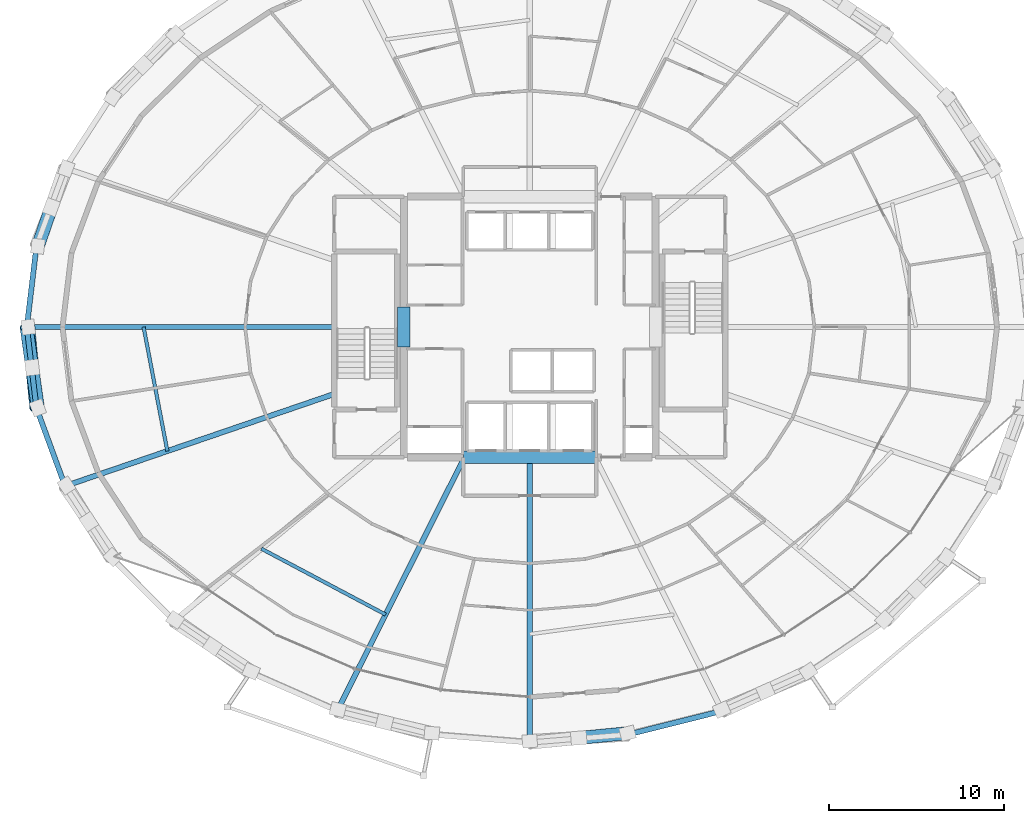
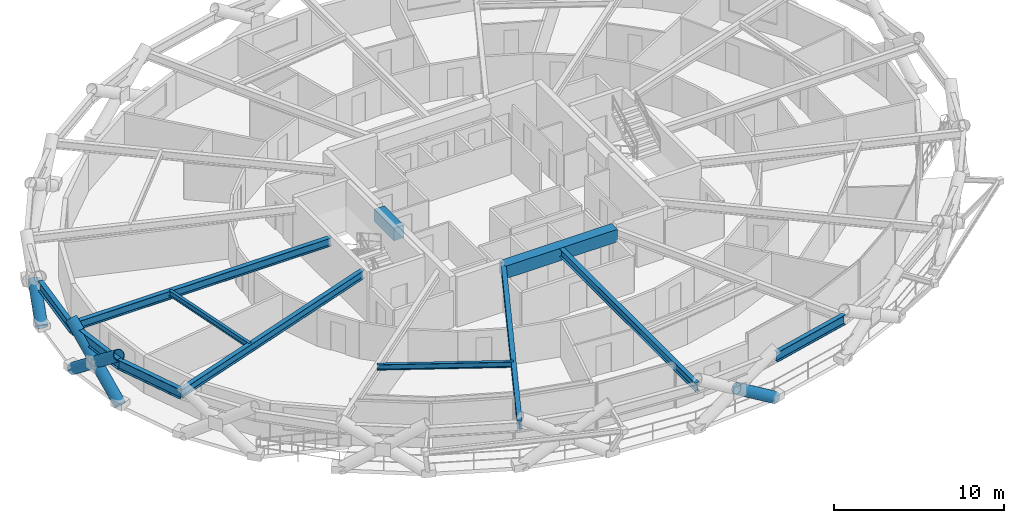
# One storey, part 5 of 21: 12 beams, 5 members.
"""IFC4 building model written with IfcOpenShell, lengths in metres."""

from ifc_helpers import new_model, si_unit, direction, frame, origin, origin_2d, place, context, subcontext, project, spatial, rectangle, hollow_circle, i_section, extrude, material, material_profile, profile_set, type_object, element, save


model = new_model("IFC4")

# Units and contexts
model_context = context("Model", 3, precision=1e-05, world=origin(), true_north=direction((0.0, 1.0)))
body_context = subcontext(model_context, "Body", "Model", "MODEL_VIEW")
ifc_project = project(units=[si_unit("LENGTHUNIT", "METRE"), si_unit("AREAUNIT", "SQUARE_METRE"), si_unit("VOLUMEUNIT", "CUBIC_METRE"), si_unit("PLANEANGLEUNIT", "RADIAN"), si_unit("MASSUNIT", "GRAM", prefix="KILO")], contexts=[model_context])

# Site, building, storey
site_placement = place(None, origin())
site = spatial("IfcSite", under=ifc_project, at=site_placement, CompositionType="ELEMENT")
building_placement = place(site_placement, origin())
building = spatial("IfcBuilding", under=site, at=building_placement, Name="Veldorina Hangang Commons", CompositionType="ELEMENT")
storey_placement = place(building_placement, frame((0.0, 0.0, 59.199951171875)))
storey = spatial("IfcBuildingStorey", under=building, at=storey_placement, Name="L14", CompositionType="ELEMENT", Elevation=59.199951171875)

# Beams
ifc_material_1 = material(Name="Concrete C70/85", Category="concrete")
ifc_material_profile_1 = material_profile(ifc_material_1, rectangle(XDim=0.699951171875, YDim=0.89990234375, at=origin_2d()), Name="RC-CB-700x900")
ifc_profile_set_1 = profile_set([ifc_material_profile_1], Name="Concrete C70/85")
beam_type_1 = type_object("IfcBeamType", Name="BM-CB900", PredefinedType="LINTEL", material=ifc_profile_set_1)
beam_1_placement = place(storey_placement, frame((24.800048828125, 22.85009765625, 2.89013671875), z_axis=(0.0, 1.0, 0.0), x_axis=(-1.0, 0.0, 0.0)))
element("IfcBeam", 1, at=beam_1_placement, inside=storey, type_object=beam_type_1, Name="L14 W core coupling lintel beam", PredefinedType="LINTEL", context=body_context, shape_type="SweptSolid", body=[
    extrude(rectangle(XDim=0.699951171875, YDim=0.89990234375, at=origin_2d()), origin(), (0.0, 0.0, 1.0), 2.2998046875),
])
beam_2_placement = place(storey_placement, frame((28.199951171875, 16.550048828125, 2.89013671875), z_axis=(1.0, 0.0, 0.0), x_axis=(0.0, 1.0, 0.0)))
element("IfcBeam", 2, at=beam_2_placement, inside=storey, type_object=beam_type_1, Name="L14 south core coupling beam", PredefinedType="LINTEL", context=body_context, shape_type="SweptSolid", body=[
    extrude(rectangle(XDim=0.699951171875, YDim=0.89990234375, at=origin_2d()), origin(), (0.0, 0.0, 1.0), 7.60009765625),
])
ifc_material_2 = material(Name="Steel SM460-TMC", Category="steel")
ifc_material_profile_2 = material_profile(ifc_material_2, i_section(OverallWidth=0.300048828125, OverallDepth=0.587890625, WebThickness=0.011962890625, FlangeThickness=0.02001953125, FilletRadius=0.01806640625, at=origin_2d()), Name="H-588x300x12x20")
ifc_profile_set_2 = profile_set([ifc_material_profile_2], Name="Steel SM460-TMC")
beam_type_2 = type_object("IfcBeamType", Name="BM-FG588", PredefinedType="BEAM", material=ifc_profile_set_2)
beam_3_placement = place(storey_placement, frame((20.820068359375, 24.0, 3.046142578125), z_axis=(-1.0, 0.0, 0.0), x_axis=(0.0, -1.0, 0.0)))
element("IfcBeam", 3, at=beam_3_placement, inside=storey, type_object=beam_type_2, Name="L14 radial floor girder 09", PredefinedType="BEAM", context=body_context, shape_type="SweptSolid", body=[
    extrude(i_section(OverallWidth=0.300048828125, OverallDepth=0.587890625, WebThickness=0.011962890625, FlangeThickness=0.02001953125, FilletRadius=0.01806640625, at=origin_2d()), origin(), (0.0, 0.0, 1.0), 17.57373046875),
])
beam_4_placement = place(storey_placement, frame((20.820068359375, 20.17431640625, 3.046142578125), z_axis=(-0.94614147517, -0.323753469422, 0.0), x_axis=(0.323753469422, -0.94614147517, 0.0)))
element("IfcBeam", 4, at=beam_4_placement, inside=storey, type_object=beam_type_2, Name="L14 radial floor girder 10", PredefinedType="BEAM", context=body_context, shape_type="SweptSolid", body=[
    extrude(i_section(OverallWidth=0.300048828125, OverallDepth=0.587890625, WebThickness=0.011962890625, FlangeThickness=0.02001953125, FilletRadius=0.01806640625, at=origin_2d()), origin(), (0.0, 0.0, 1.0), 16.260498046875),
])
beam_5_placement = place(storey_placement, frame((28.2646484375, 16.550048828125, 3.046142578125), z_axis=(-0.448213025421, -0.893926777674, 0.0), x_axis=(0.893926777674, -0.448213025421, 0.0)))
element("IfcBeam", 5, at=beam_5_placement, inside=storey, type_object=beam_type_2, Name="L14 radial floor girder 12", PredefinedType="BEAM", context=body_context, shape_type="SweptSolid", body=[
    extrude(i_section(OverallWidth=0.300048828125, OverallDepth=0.587890625, WebThickness=0.011962890625, FlangeThickness=0.02001953125, FilletRadius=0.01806640625, at=origin_2d()), origin(), (0.0, 0.0, 1.0), 16.215576171875),
])
beam_6_placement = place(storey_placement, frame((32.0, 16.550048828125, 3.046142578125), z_axis=(0.0, -1.0, 0.0), x_axis=(1.0, 0.0, 0.0)))
element("IfcBeam", 6, at=beam_6_placement, inside=storey, type_object=beam_type_2, Name="L14 radial floor girder 13", PredefinedType="BEAM", context=body_context, shape_type="SweptSolid", body=[
    extrude(i_section(OverallWidth=0.300048828125, OverallDepth=0.587890625, WebThickness=0.011962890625, FlangeThickness=0.02001953125, FilletRadius=0.01806640625, at=origin_2d()), origin(), (0.0, 0.0, 1.0), 16.3037109375),
])
ifc_material_3 = material(Name="Steel SM355-TMC", Category="steel")
ifc_material_profile_3 = material_profile(ifc_material_3, i_section(OverallWidth=0.199951171875, OverallDepth=0.39990234375, WebThickness=0.008056640625, FlangeThickness=0.012939453125, FilletRadius=0.012939453125, at=origin_2d()), Name="H-400x200x8x13")
ifc_profile_set_3 = profile_set([ifc_material_profile_3], Name="Steel SM355-TMC")
beam_type_3 = type_object("IfcBeamType", Name="BM-JST400", PredefinedType="JOIST", material=ifc_profile_set_3)
beam_7_placement = place(storey_placement, frame((9.92431640625, 24.0, 3.14013671875), z_axis=(0.188018125295, -0.982165558631, 0.0), x_axis=(0.982165558631, 0.188018125295, 0.0)))
element("IfcBeam", 7, at=beam_7_placement, inside=storey, type_object=beam_type_3, Name="L14 secondary floor joist 09", PredefinedType="JOIST", context=body_context, shape_type="SweptSolid", body=[
    extrude(i_section(OverallWidth=0.199951171875, OverallDepth=0.39990234375, WebThickness=0.008056640625, FlangeThickness=0.012939453125, FilletRadius=0.012939453125, at=origin_2d()), origin(), (0.0, 0.0, 1.0), 7.21826171875),
])
beam_8_placement = place(storey_placement, frame((16.658203125, 11.326171875, 3.14013671875), z_axis=(0.8835535399, -0.468330163591, 0.0), x_axis=(0.468330163591, 0.8835535399, 0.0)))
element("IfcBeam", 8, at=beam_8_placement, inside=storey, type_object=beam_type_3, Name="L14 secondary floor joist 11", PredefinedType="JOIST", context=body_context, shape_type="SweptSolid", body=[
    extrude(i_section(OverallWidth=0.199951171875, OverallDepth=0.39990234375, WebThickness=0.008056640625, FlangeThickness=0.012939453125, FilletRadius=0.012939453125, at=origin_2d()), origin(), (0.0, 0.0, 1.0), 8.035888671875),
])
ifc_material_profile_4 = material_profile(ifc_material_2, i_section(OverallWidth=0.300048828125, OverallDepth=0.699951171875, WebThickness=0.012939453125, FlangeThickness=0.02392578125, FilletRadius=0.02197265625, at=origin_2d()), Name="H-700x300x13x24")
ifc_profile_set_4 = profile_set([ifc_material_profile_4], Name="Steel SM460-TMC")
beam_type_4 = type_object("IfcBeamType", Name="BM-RB700", PredefinedType="BEAM", material=ifc_profile_set_4)
for number, where, z_axis, x_axis, name in (
    (9, (3.798828125, 28.634033203125, 2.989990234375), (-0.118386058551, -0.992967643552, 0.0), (0.992967643552, -0.118386058551, 0.0), "L14 perimeter hoop ring beam 15"),
    (10, (3.246337890625, 24.0, 2.989990234375), (0.118386058551, -0.992967643552, 0.0), (0.992967643552, 0.118386058551, 0.0), "L14 perimeter hoop ring beam 16"),
):
    element("IfcBeam", number, at=place(storey_placement, frame(where, z_axis=z_axis, x_axis=x_axis)), inside=storey, type_object=beam_type_4, Name=name, PredefinedType="BEAM", context=body_context, shape_type="SweptSolid", body=[
        extrude(i_section(OverallWidth=0.300048828125, OverallDepth=0.699951171875, WebThickness=0.012939453125, FlangeThickness=0.02392578125, FilletRadius=0.02197265625, at=origin_2d()), origin(), (0.0, 0.0, 1.0), 4.666748046875),
    ])
beam_9_placement = place(storey_placement, frame((3.798828125, 19.365966796875, 2.989990234375), z_axis=(0.344735154513, -0.938699991074, 0.0), x_axis=(0.938699991074, 0.344735154513, 0.0)))
element("IfcBeam", 11, at=beam_9_placement, inside=storey, type_object=beam_type_4, Name="L14 perimeter hoop ring beam 17", PredefinedType="BEAM", context=body_context, shape_type="SweptSolid", body=[
    extrude(i_section(OverallWidth=0.300048828125, OverallDepth=0.699951171875, WebThickness=0.012939453125, FlangeThickness=0.02392578125, FilletRadius=0.02197265625, at=origin_2d()), origin(), (0.0, 0.0, 1.0), 4.7470703125),
])
beam_10_placement = place(storey_placement, frame((37.609619140625, 0.702880859375, 2.989990234375), z_axis=(0.970010639705, 0.243062458761, 0.0), x_axis=(-0.243062458761, 0.970010639705, 0.0)))
element("IfcBeam", 12, at=beam_10_placement, inside=storey, type_object=beam_type_4, Name="L14 perimeter hoop ring beam 25", PredefinedType="BEAM", context=body_context, shape_type="SweptSolid", body=[
    extrude(i_section(OverallWidth=0.300048828125, OverallDepth=0.699951171875, WebThickness=0.012939453125, FlangeThickness=0.02392578125, FilletRadius=0.02197265625, at=origin_2d()), origin(), (0.0, 0.0, 1.0), 5.560546875),
])

# Members
ifc_material_profile_5 = material_profile(ifc_material_2, hollow_circle(Radius=0.375, WallThickness=0.035888671875, at=origin_2d()), Name="CHS-750x36")
ifc_profile_set_5 = profile_set([ifc_material_profile_5], Name="Steel SM460-TMC")
member_type = type_object("IfcMemberType", Name="DG-CHS750", PredefinedType="BRACE", material=ifc_profile_set_5)
member_1_placement = place(storey_placement, frame((3.878173828125, 28.618408203125, 0.0), z_axis=(0.25931461804, 0.752695015637, 0.605149685867), x_axis=(-0.945464065486, 0.325726420288, 0.0)))
element("IfcMember", 13, at=member_1_placement, inside=storey, type_object=member_type, Name="L14 split perimeter diagrid lower brace 15", PredefinedType="BRACE", context=body_context, shape_type="SweptSolid", body=[
    extrude(hollow_circle(Radius=0.375, WallThickness=0.035888671875, at=origin_2d()), origin(), (0.0, 0.0, 1.0), 2.968505859375),
])
member_2_placement = place(storey_placement, frame((3.327392578125, 24.0, 0.0), z_axis=(0.077327016469, -0.787533163971, 0.611401707693), x_axis=(0.995214048352, 0.097718974422, 0.0)))
element("IfcMember", 14, at=member_2_placement, inside=storey, type_object=member_type, Name="L14 continuous perimeter diagrid brace 16", PredefinedType="BRACE", context=body_context, shape_type="SweptSolid", body=[
    extrude(hollow_circle(Radius=0.375, WallThickness=0.035888671875, at=origin_2d()), origin(), (0.0, 0.0, 1.0), 5.88818359375),
])
member_3_placement = place(storey_placement, frame((3.878173828125, 19.381591796875, 0.0), z_axis=(-0.110120903271, 0.783884770723, 0.611063051486), x_axis=(-0.990276235489, -0.139114979157, 0.0)))
element("IfcMember", 15, at=member_3_placement, inside=storey, type_object=member_type, Name="L14 split perimeter diagrid lower brace 17", PredefinedType="BRACE", context=body_context, shape_type="SweptSolid", body=[
    extrude(hollow_circle(Radius=0.375, WallThickness=0.035888671875, at=origin_2d()), origin(), (0.0, 0.0, 1.0), 2.939697265625),
])
member_4_placement = place(storey_placement, frame((3.554443359375, 21.68603515625, 1.79638671875), z_axis=(-0.109920606781, 0.783918368001, 0.611056014221), x_axis=(-0.990311882498, -0.13886099302, 0.0)))
element("IfcMember", 16, at=member_4_placement, inside=storey, type_object=member_type, Name="L14 split perimeter diagrid upper brace 17", PredefinedType="BRACE", context=body_context, shape_type="SweptSolid", body=[
    extrude(hollow_circle(Radius=0.375, WallThickness=0.035888671875, at=origin_2d()), origin(), (0.0, 0.0, 1.0), 2.951904296875),
])
member_5_placement = place(storey_placement, frame((37.59375, 0.7822265625, 0.0), z_axis=(-0.838040295762, -0.082726894633, 0.539300216561), x_axis=(0.098237217522, -0.99516302639, 0.0)))
element("IfcMember", 17, at=member_5_placement, inside=storey, type_object=member_type, Name="L14 split perimeter diagrid lower brace 25", PredefinedType="BRACE", context=body_context, shape_type="SweptSolid", body=[
    extrude(hollow_circle(Radius=0.375, WallThickness=0.035888671875, at=origin_2d()), origin(), (0.0, 0.0, 1.0), 3.331787109375),
])

save(model, "model.ifc")
